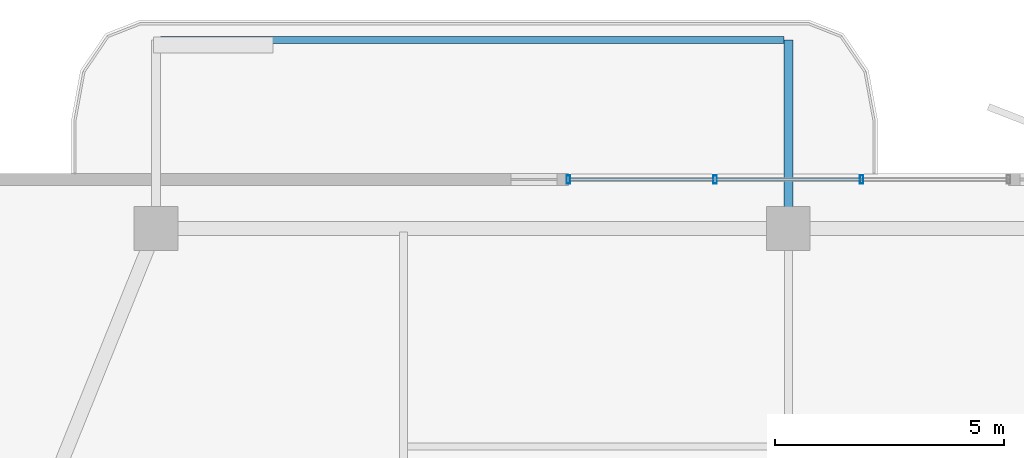
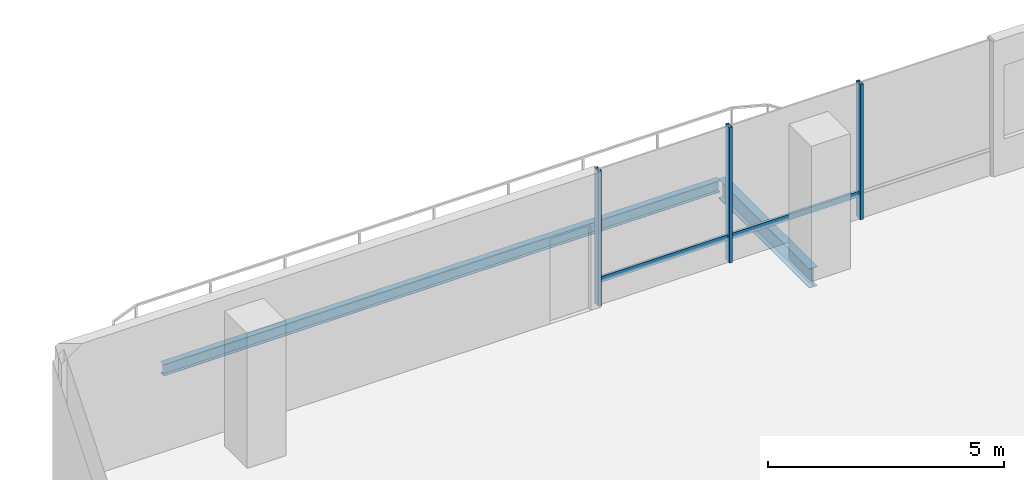
# One storey, part 13 of 24: 5 members, 2 beams, 1 element without a shape of its own.
"""IFC4 building model written with IfcOpenShell, lengths in metres."""

from ifc_helpers import new_model, si_unit, direction, frame, origin, origin_2d, place, context, subcontext, project, spatial, hollow_rectangle, i_section, extrude, material, layer, layer_set, material_profile, profile_set, type_object, element, aggregate, save


model = new_model("IFC4")

# Units and contexts
model_context = context("Model", 3, precision=1e-05, world=origin(), true_north=direction((0.0, 1.0)))
body_context = subcontext(model_context, "Body", "Model", "MODEL_VIEW")
ifc_project = project(units=[si_unit("LENGTHUNIT", "METRE"), si_unit("AREAUNIT", "SQUARE_METRE"), si_unit("VOLUMEUNIT", "CUBIC_METRE"), si_unit("PLANEANGLEUNIT", "RADIAN"), si_unit("MASSUNIT", "GRAM", prefix="KILO")], contexts=[model_context])

# Site, building, storey
site_placement = place(None, origin())
site = spatial("IfcSite", under=ifc_project, at=site_placement, CompositionType="ELEMENT")
building_placement = place(site_placement, origin())
building = spatial("IfcBuilding", under=site, at=building_placement, Name="Belovzor Exchange Tower", CompositionType="ELEMENT")
storey_placement = place(building_placement, frame((0.0, 0.0, 261.60009765625)))
storey = spatial("IfcBuildingStorey", under=building, at=storey_placement, Name="L65", CompositionType="ELEMENT", Elevation=261.60009765625)

# Beams
ifc_material_1 = material(Name="Steel S355", Category="steel")
ifc_material_profile_1 = material_profile(ifc_material_1, i_section(OverallWidth=0.199951171875, OverallDepth=0.5, WebThickness=0.01025390625, FlangeThickness=0.01611328125, at=origin_2d()))
ifc_profile_set_1 = profile_set([ifc_material_profile_1], Name="Steel S355")
beam_type_1 = type_object("IfcBeamType", Name="Planted Balcony Cantilever Beam IPE 500", PredefinedType="BEAM", material=ifc_profile_set_1)
beam_1_placement = place(storey_placement, frame((28.800048828125, 52.760986328125, -0.5), z_axis=(0.0, 1.0, 0.0), x_axis=(-1.0, 0.0, 0.0)))
element("IfcBeam", 1, at=beam_1_placement, inside=storey, type_object=beam_type_1, Name="BC-500 Planted Balcony Cantilever Beam IPE 500", PredefinedType="BEAM", context=body_context, shape_type="SweptSolid", body=[
    extrude(i_section(OverallWidth=0.199951171875, OverallDepth=0.5, WebThickness=0.01025390625, FlangeThickness=0.01611328125, at=origin_2d()), origin(), (0.0, 0.0, 1.0), 3.85009765625),
])
ifc_material_2 = material(Name="Steel S355", Category="steel")
ifc_material_profile_2 = material_profile(ifc_material_2, i_section(OverallWidth=0.14990234375, OverallDepth=0.300048828125, WebThickness=0.007080078125, FlangeThickness=0.0107421875, at=origin_2d()))
ifc_profile_set_2 = profile_set([ifc_material_profile_2], Name="Steel S355")
beam_type_2 = type_object("IfcBeamType", Name="Planted Balcony Fascia Edge Beam IPE 300", PredefinedType="BEAM", material=ifc_profile_set_2)
beam_2_placement = place(storey_placement, frame((28.699951171875, 56.611083984375, -0.400146484375), z_axis=(-1.0, 0.0, 0.0), x_axis=(0.0, -1.0, 0.0)))
element("IfcBeam", 2, at=beam_2_placement, inside=storey, type_object=beam_type_2, Name="BC-300 Planted Balcony Fascia Edge Beam IPE 300", PredefinedType="BEAM", context=body_context, shape_type="SweptSolid", body=[
    extrude(i_section(OverallWidth=0.14990234375, OverallDepth=0.300048828125, WebThickness=0.007080078125, FlangeThickness=0.0107421875, at=origin_2d()), origin(), (0.0, 0.0, 1.0), 13.599853515625),
])

# Curtain wall, members
ifc_material_3 = material(Name="Anodised Aluminium Framing", Category="aluminium")
ifc_layer = layer(ifc_material_3, 0.179931640625)
ifc_layer_set = layer_set([ifc_layer], Name="Anodised Aluminium Framing")
curtain_wall_type = type_object("IfcCurtainWallType", Name="Recessed Loggia Low-Iron Triple-Glazed Curtain Wall", PredefinedType="NOTDEFINED", material=ifc_layer_set)
curtain_wall_placement = place(storey_placement, origin())
curtain_wall = element("IfcCurtainWall", 3, at=curtain_wall_placement, inside=storey, type_object=curtain_wall_type, Name="CW3 Recessed Loggia Low-Iron Triple-Glazed Curtain Wall L65", PredefinedType="NOTDEFINED")
ifc_material_4 = material(Name="Steel S355", Category="steel")
ifc_material_profile_3 = material_profile(ifc_material_4, hollow_rectangle(XDim=0.074951171875, YDim=0.179931640625, WallThickness=0.0048828125, at=origin_2d()))
ifc_profile_set_3 = profile_set([ifc_material_profile_3], Name="Steel S355")
member_type_1 = type_object("IfcMemberType", Name="Thermally Broken Curtain Wall Mullion 180x75", PredefinedType="MULLION", material=ifc_profile_set_3)
member_1_placement = place(storey_placement, frame((24.0, 53.570068359375, 0.0), z_axis=(0.0, 0.0, 1.0), x_axis=(1.0, 0.0, 0.0)))
member_1 = element("IfcMember", 4, at=member_1_placement, type_object=member_type_1, Name="CW-M180 Curtain Wall Mullion 1", PredefinedType="MULLION", context=body_context, shape_type="SweptSolid", body=[
    extrude(hollow_rectangle(XDim=0.074951171875, YDim=0.179931640625, WallThickness=0.0048828125, at=origin_2d()), origin(), (0.0, 0.0, 1.0), 3.5),
])
member_2_placement = place(storey_placement, frame((27.199951171875, 53.570068359375, 0.0), z_axis=(0.0, 0.0, 1.0), x_axis=(1.0, 0.0, 0.0)))
member_2 = element("IfcMember", 5, at=member_2_placement, type_object=member_type_1, Name="CW-M180 Curtain Wall Mullion 2", PredefinedType="MULLION", context=body_context, shape_type="SweptSolid", body=[
    extrude(hollow_rectangle(XDim=0.074951171875, YDim=0.179931640625, WallThickness=0.0048828125, at=origin_2d()), origin(), (0.0, 0.0, 1.0), 3.5),
])
member_3_placement = place(storey_placement, frame((30.39990234375, 53.570068359375, 0.0), z_axis=(0.0, 0.0, 1.0), x_axis=(1.0, 0.0, 0.0)))
member_3 = element("IfcMember", 6, at=member_3_placement, type_object=member_type_1, Name="CW-M180 Curtain Wall Mullion 3", PredefinedType="MULLION", context=body_context, shape_type="SweptSolid", body=[
    extrude(hollow_rectangle(XDim=0.074951171875, YDim=0.179931640625, WallThickness=0.0048828125, at=origin_2d()), origin(), (0.0, 0.0, 1.0), 3.5),
])
ifc_material_5 = material(Name="Steel S355", Category="steel")
ifc_material_profile_4 = material_profile(ifc_material_5, hollow_rectangle(XDim=0.06005859375, YDim=0.14990234375, WallThickness=0.00390625, at=origin_2d()))
ifc_profile_set_4 = profile_set([ifc_material_profile_4], Name="Steel S355")
member_type_2 = type_object("IfcMemberType", Name="Thermally Broken Curtain Wall Transom 150x60", PredefinedType="USERDEFINED", material=ifc_profile_set_4)
member_4_placement = place(storey_placement, frame((24.008056640625, 53.570068359375, 0.6298828125), z_axis=(1.0, 0.0, 0.0), x_axis=(0.0, 1.0, 0.0)))
member_4 = element("IfcMember", 7, at=member_4_placement, type_object=member_type_2, Name="CW-T150 Curtain Wall Transom 1", ObjectType="TRANSOM", PredefinedType="USERDEFINED", context=body_context, shape_type="SweptSolid", body=[
    extrude(hollow_rectangle(XDim=0.06005859375, YDim=0.14990234375, WallThickness=0.00390625, at=origin_2d()), origin(), (0.0, 0.0, 1.0), 3.183837890625),
])
member_5_placement = place(storey_placement, frame((27.2080078125, 53.570068359375, 0.6298828125), z_axis=(1.0, 0.0, 0.0), x_axis=(0.0, 1.0, 0.0)))
member_5 = element("IfcMember", 8, at=member_5_placement, type_object=member_type_2, Name="CW-T150 Curtain Wall Transom 2", ObjectType="TRANSOM", PredefinedType="USERDEFINED", context=body_context, shape_type="SweptSolid", body=[
    extrude(hollow_rectangle(XDim=0.06005859375, YDim=0.14990234375, WallThickness=0.00390625, at=origin_2d()), origin(), (0.0, 0.0, 1.0), 3.18408203125),
])
aggregate(curtain_wall, [member_1, member_2, member_3, member_4, member_5])

save(model, "model.ifc")
